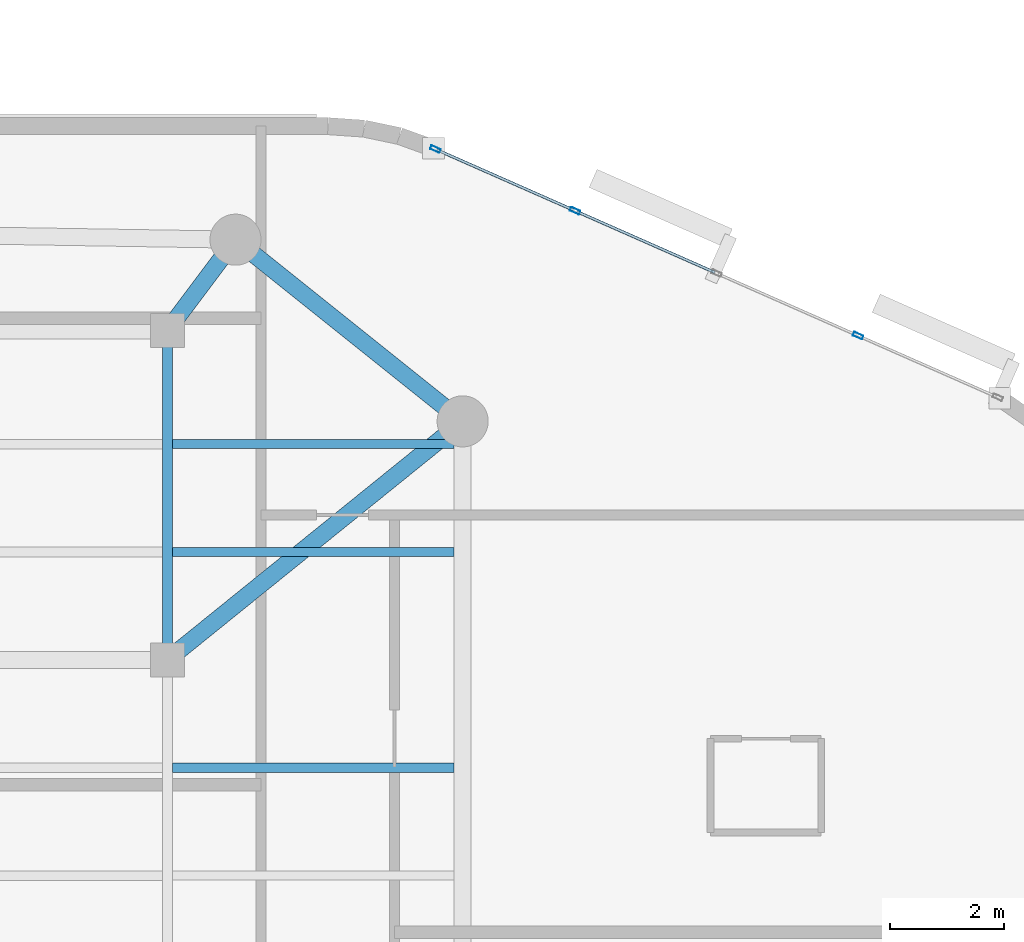
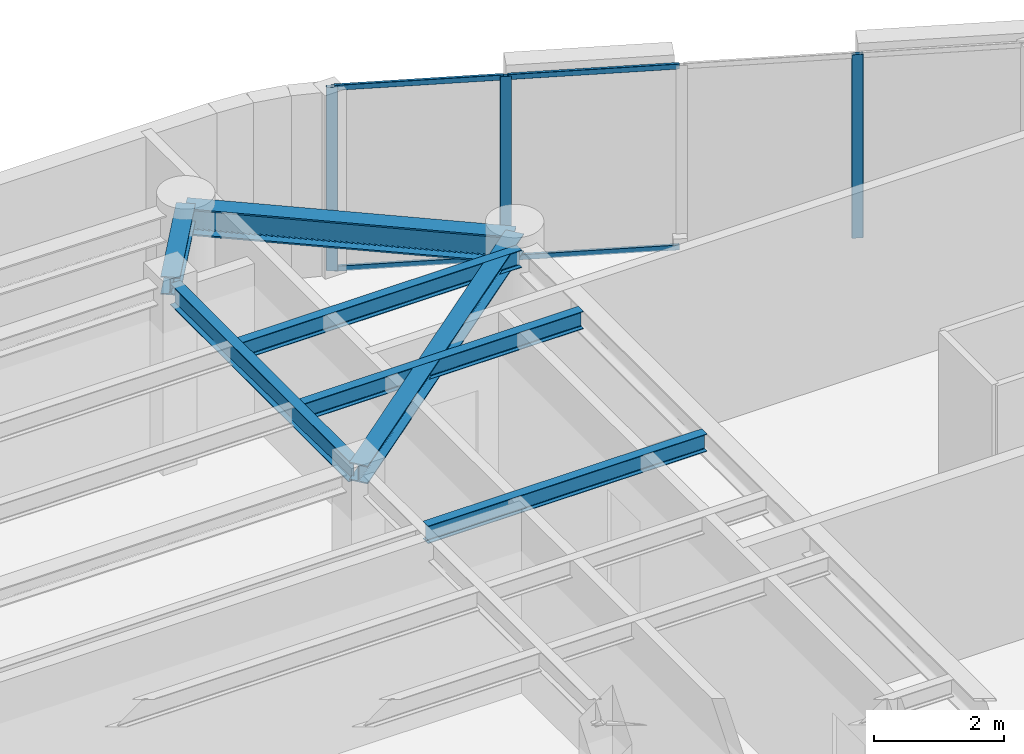
# One storey, part 5 of 12: 7 beams, 7 members, 1 element without a shape of its own.
"""IFC4 building model written with IfcOpenShell, lengths in metres."""

from ifc_helpers import new_model, si_unit, direction, frame, origin, origin_2d, place, context, subcontext, project, spatial, hollow_rectangle, i_section, extrude, material, layer, layer_set, material_profile, profile_set, type_object, element, aggregate, save


model = new_model("IFC4")

# Units and contexts
model_context = context("Model", 3, precision=1e-05, world=origin(), true_north=direction((0.0, 1.0)))
body_context = subcontext(model_context, "Body", "Model", "MODEL_VIEW")
ifc_project = project(units=[si_unit("LENGTHUNIT", "METRE"), si_unit("AREAUNIT", "SQUARE_METRE"), si_unit("VOLUMEUNIT", "CUBIC_METRE"), si_unit("PLANEANGLEUNIT", "RADIAN"), si_unit("MASSUNIT", "GRAM", prefix="KILO")], contexts=[model_context])

# Site, building, storey
site_placement = place(None, origin())
site = spatial("IfcSite", under=ifc_project, at=site_placement, CompositionType="ELEMENT")
building_placement = place(site_placement, origin())
building = spatial("IfcBuilding", under=site, at=building_placement, Name="An Khanh Terracotta Commons", CompositionType="ELEMENT")
storey_placement = place(building_placement, frame((0.0, 0.0, 262.449951171875)))
storey = spatial("IfcBuildingStorey", under=building, at=storey_placement, Name="L68", CompositionType="ELEMENT", Elevation=262.449951171875)

# Beams
ifc_material_1 = material(Name="Steel S355J2", Category="steel")
ifc_material_profile_1 = material_profile(ifc_material_1, i_section(OverallWidth=0.300048828125, OverallDepth=0.340087890625, WebThickness=0.011962890625, FlangeThickness=0.021484375, FilletRadius=0.027099609375, at=origin_2d()), Name="HEB340")
ifc_profile_set_1 = profile_set([ifc_material_profile_1], Name="Steel S355J2")
beam_type_1 = type_object("IfcBeamType", Name="BM-HEB340", PredefinedType="BEAM", material=ifc_profile_set_1)
beam_1_placement = place(storey_placement, frame((63.39990234375, 32.0, 3.280029296875), z_axis=(-0.777941866883, -0.628336256913, 0.0), x_axis=(0.628336256913, -0.777941866883, 0.0)))
element("IfcBeam", 1, at=beam_1_placement, inside=storey, type_object=beam_type_1, Name="L68 Mega-Column Tie Girder 4", PredefinedType="BEAM", context=body_context, shape_type="SweptSolid", body=[
    extrude(i_section(OverallWidth=0.300048828125, OverallDepth=0.340087890625, WebThickness=0.011962890625, FlangeThickness=0.021484375, FilletRadius=0.027099609375, at=origin_2d()), origin(), (0.0, 0.0, 1.0), 6.684326171875),
])
beam_2_placement = place(storey_placement, frame((59.39990234375, 35.199951171875, 3.280029296875), z_axis=(-0.600019532502, -0.799985350251, 0.0), x_axis=(0.799985350251, -0.600019532502, 0.0)))
element("IfcBeam", 2, at=beam_2_placement, inside=storey, type_object=beam_type_1, Name="L68 Mega-Column Tie Girder 5", PredefinedType="BEAM", context=body_context, shape_type="SweptSolid", body=[
    extrude(i_section(OverallWidth=0.300048828125, OverallDepth=0.340087890625, WebThickness=0.011962890625, FlangeThickness=0.021484375, FilletRadius=0.027099609375, at=origin_2d()), origin(), (0.0, 0.0, 1.0), 1.999755859375),
])
ifc_material_profile_2 = material_profile(ifc_material_1, i_section(OverallWidth=0.300048828125, OverallDepth=0.5, WebThickness=0.014404296875, FlangeThickness=0.028076171875, FilletRadius=0.027099609375, at=origin_2d()), Name="HEB500")
ifc_profile_set_2 = profile_set([ifc_material_profile_2], Name="Steel S355J2")
beam_type_2 = type_object("IfcBeamType", Name="BM-HEB500", PredefinedType="BEAM", material=ifc_profile_set_2)
beam_3_placement = place(storey_placement, frame((63.39990234375, 32.0, 3.199951171875), z_axis=(-0.780873459249, 0.624689235253, 0.0), x_axis=(-0.624689235253, -0.780873459249, 0.0)))
element("IfcBeam", 3, at=beam_3_placement, inside=storey, type_object=beam_type_2, Name="L68 Perimeter Ring Spandrel 4", PredefinedType="BEAM", context=body_context, shape_type="SweptSolid", body=[
    extrude(i_section(OverallWidth=0.300048828125, OverallDepth=0.5, WebThickness=0.014404296875, FlangeThickness=0.028076171875, FilletRadius=0.027099609375, at=origin_2d()), origin(), (0.0, 0.0, 1.0), 5.12255859375),
])
ifc_material_profile_3 = material_profile(ifc_material_1, i_section(OverallWidth=0.159912109375, OverallDepth=0.330078125, WebThickness=0.007568359375, FlangeThickness=0.011474609375, FilletRadius=0.01806640625, at=origin_2d()), Name="IPE330")
ifc_profile_set_3 = profile_set([ifc_material_profile_3], Name="Steel S355J2")
beam_type_3 = type_object("IfcBeamType", Name="BM-IPE330", PredefinedType="JOIST", material=ifc_profile_set_3)
for number, where, z_axis, x_axis, name in (
    (4, (58.2900390625, 25.89990234375, 3.28515625), (1.0, 0.0, 0.0), (0.0, 1.0, 0.0), "L68 Riverfront Composite Joist 5"),
    (5, (58.2900390625, 29.699951171875, 3.28515625), (1.0, 0.0, 0.0), (0.0, 1.0, 0.0), "L68 Riverfront Composite Joist 6"),
    (6, (58.2900390625, 31.60009765625, 3.28515625), (1.0, 0.0, 0.0), (0.0, 1.0, 0.0), "L68 Riverfront Composite Joist 7"),
):
    element("IfcBeam", number, at=place(storey_placement, frame(where, z_axis=z_axis, x_axis=x_axis)), inside=storey, type_object=beam_type_3, Name=name, PredefinedType="JOIST", context=body_context, shape_type="SweptSolid", body=[
        extrude(i_section(OverallWidth=0.159912109375, OverallDepth=0.330078125, WebThickness=0.007568359375, FlangeThickness=0.011474609375, FilletRadius=0.01806640625, at=origin_2d()), origin(), (0.0, 0.0, 1.0), 4.9599609375),
    ])
ifc_material_profile_4 = material_profile(ifc_material_1, i_section(OverallWidth=0.179931640625, OverallDepth=0.39990234375, WebThickness=0.008544921875, FlangeThickness=0.013427734375, FilletRadius=0.02099609375, at=origin_2d()), Name="IPE400")
ifc_profile_set_4 = profile_set([ifc_material_profile_4], Name="Steel S355J2")
beam_type_4 = type_object("IfcBeamType", Name="BM-IPE400", PredefinedType="JOIST", material=ifc_profile_set_4)
beam_4_placement = place(storey_placement, frame((58.199951171875, 27.949951171875, 3.25), z_axis=(0.0, 1.0, 0.0), x_axis=(-1.0, 0.0, 0.0)))
element("IfcBeam", 7, at=beam_4_placement, inside=storey, type_object=beam_type_4, Name="L68 East Spine Girder 3", PredefinedType="JOIST", context=body_context, shape_type="SweptSolid", body=[
    extrude(i_section(OverallWidth=0.179931640625, OverallDepth=0.39990234375, WebThickness=0.008544921875, FlangeThickness=0.013427734375, FilletRadius=0.02099609375, at=origin_2d()), origin(), (0.0, 0.0, 1.0), 5.5),
])

# Curtain wall, members
ifc_material_2 = material(Name="Anodised Aluminium 6063-T6", Category="aluminium")
ifc_layer = layer(ifc_material_2, 0.2099609375, Name="Anodised Aluminium 6063-T6")
ifc_layer_set = layer_set([ifc_layer], Name="Anodised Aluminium 6063-T6")
curtain_wall_type = type_object("IfcCurtainWallType", Name="CW-SYS-03", PredefinedType="USERDEFINED", material=ifc_layer_set)
curtain_wall_placement = place(storey_placement, origin())
curtain_wall = element("IfcCurtainWall", 8, at=curtain_wall_placement, inside=storey, type_object=curtain_wall_type, Name="L68 CW-03 Unitised Curtain Wall CW-L68-16", ObjectType="UNITISED CURTAIN WALL", PredefinedType="USERDEFINED")
ifc_material_profile_5 = material_profile(ifc_material_2, hollow_rectangle(XDim=0.070068359375, YDim=0.179931640625, WallThickness=0.00390625, InnerFilletRadius=0.00390625, OuterFilletRadius=0.008056640625, at=origin_2d()), Name="RHS180x70x4")
ifc_profile_set_5 = profile_set([ifc_material_profile_5], Name="Anodised Aluminium 6063-T6")
member_type_1 = type_object("IfcMemberType", Name="CWM-RHS180x70x4", PredefinedType="MULLION", material=ifc_profile_set_5)
member_1_placement = place(storey_placement, frame((70.364501953125, 33.509765625, 0.0), z_axis=(0.0, 0.0, 1.0), x_axis=(-0.403676354285, -0.914901853201, 0.0)))
member_1 = element("IfcMember", 9, at=member_1_placement, type_object=member_type_1, Name="CW-03 mullion 2", PredefinedType="MULLION", context=body_context, shape_type="SweptSolid", body=[
    extrude(hollow_rectangle(XDim=0.070068359375, YDim=0.179931640625, WallThickness=0.00390625, InnerFilletRadius=0.00390625, OuterFilletRadius=0.008056640625, at=origin_2d()), origin(), (0.0, 0.0, 1.0), 3.449951171875),
])
member_2_placement = place(storey_placement, frame((65.37939453125, 35.709228515625, 0.0), z_axis=(0.0, 0.0, 1.0), x_axis=(-0.403676354285, -0.914901853201, 0.0)))
member_2 = element("IfcMember", 10, at=member_2_placement, type_object=member_type_1, Name="CW-03 mullion 4", PredefinedType="MULLION", context=body_context, shape_type="SweptSolid", body=[
    extrude(hollow_rectangle(XDim=0.070068359375, YDim=0.179931640625, WallThickness=0.00390625, InnerFilletRadius=0.00390625, OuterFilletRadius=0.008056640625, at=origin_2d()), origin(), (0.0, 0.0, 1.0), 3.449951171875),
])
member_3_placement = place(storey_placement, frame((62.9189453125, 36.794921875, 0.0), z_axis=(0.0, 0.0, 1.0), x_axis=(-0.403676354285, -0.914901853201, 0.0)))
member_3 = element("IfcMember", 11, at=member_3_placement, type_object=member_type_1, Name="CW-03 mullion 5", PredefinedType="MULLION", context=body_context, shape_type="SweptSolid", body=[
    extrude(hollow_rectangle(XDim=0.070068359375, YDim=0.179931640625, WallThickness=0.00390625, InnerFilletRadius=0.00390625, OuterFilletRadius=0.008056640625, at=origin_2d()), origin(), (0.0, 0.0, 1.0), 3.449951171875),
])
ifc_material_profile_6 = material_profile(ifc_material_2, hollow_rectangle(XDim=0.050048828125, YDim=0.10009765625, WallThickness=0.003173828125, InnerFilletRadius=0.003173828125, OuterFilletRadius=0.00634765625, at=origin_2d()), Name="RHS100x50x3.2")
ifc_profile_set_6 = profile_set([ifc_material_profile_6], Name="Anodised Aluminium 6063-T6")
member_type_2 = type_object("IfcMemberType", Name="CWT-RHS100x50x3.2", PredefinedType="USERDEFINED", material=ifc_profile_set_6)
member_4_placement = place(storey_placement, frame((67.840087890625, 34.62353515625, 0.025146484375), z_axis=(-0.914896820753, 0.403687759755, 0.0), x_axis=(-0.403687759755, -0.914896820753, 0.0)))
member_4 = element("IfcMember", 12, at=member_4_placement, type_object=member_type_2, Name="CW-03 transom 3.1", ObjectType="TRANSOM", PredefinedType="USERDEFINED", context=body_context, shape_type="SweptSolid", body=[
    extrude(hollow_rectangle(XDim=0.050048828125, YDim=0.10009765625, WallThickness=0.003173828125, InnerFilletRadius=0.003173828125, OuterFilletRadius=0.00634765625, at=origin_2d()), origin(), (0.0, 0.0, 1.0), 2.654296875),
])
member_5_placement = place(storey_placement, frame((67.840087890625, 34.62353515625, 3.425048828125), z_axis=(-0.914896820753, 0.403687759755, 0.0), x_axis=(-0.403687759755, -0.914896820753, 0.0)))
member_5 = element("IfcMember", 13, at=member_5_placement, type_object=member_type_2, Name="CW-03 transom 3.2", ObjectType="TRANSOM", PredefinedType="USERDEFINED", context=body_context, shape_type="SweptSolid", body=[
    extrude(hollow_rectangle(XDim=0.050048828125, YDim=0.10009765625, WallThickness=0.003173828125, InnerFilletRadius=0.003173828125, OuterFilletRadius=0.00634765625, at=origin_2d()), origin(), (0.0, 0.0, 1.0), 2.654296875),
])
member_6_placement = place(storey_placement, frame((65.347412109375, 35.723388671875, 0.025146484375), z_axis=(-0.914903627858, 0.403672332137, 0.0), x_axis=(-0.403672332137, -0.914903627858, 0.0)))
member_6 = element("IfcMember", 14, at=member_6_placement, type_object=member_type_2, Name="CW-03 transom 4.1", ObjectType="TRANSOM", PredefinedType="USERDEFINED", context=body_context, shape_type="SweptSolid", body=[
    extrude(hollow_rectangle(XDim=0.050048828125, YDim=0.10009765625, WallThickness=0.003173828125, InnerFilletRadius=0.003173828125, OuterFilletRadius=0.00634765625, at=origin_2d()), origin(), (0.0, 0.0, 1.0), 2.619384765625),
])
member_7_placement = place(storey_placement, frame((65.347412109375, 35.723388671875, 3.425048828125), z_axis=(-0.914903627858, 0.403672332137, 0.0), x_axis=(-0.403672332137, -0.914903627858, 0.0)))
member_7 = element("IfcMember", 15, at=member_7_placement, type_object=member_type_2, Name="CW-03 transom 4.2", ObjectType="TRANSOM", PredefinedType="USERDEFINED", context=body_context, shape_type="SweptSolid", body=[
    extrude(hollow_rectangle(XDim=0.050048828125, YDim=0.10009765625, WallThickness=0.003173828125, InnerFilletRadius=0.003173828125, OuterFilletRadius=0.00634765625, at=origin_2d()), origin(), (0.0, 0.0, 1.0), 2.619384765625),
])
aggregate(curtain_wall, [member_1, member_2, member_3, member_4, member_5, member_6, member_7])

save(model, "model.ifc")
